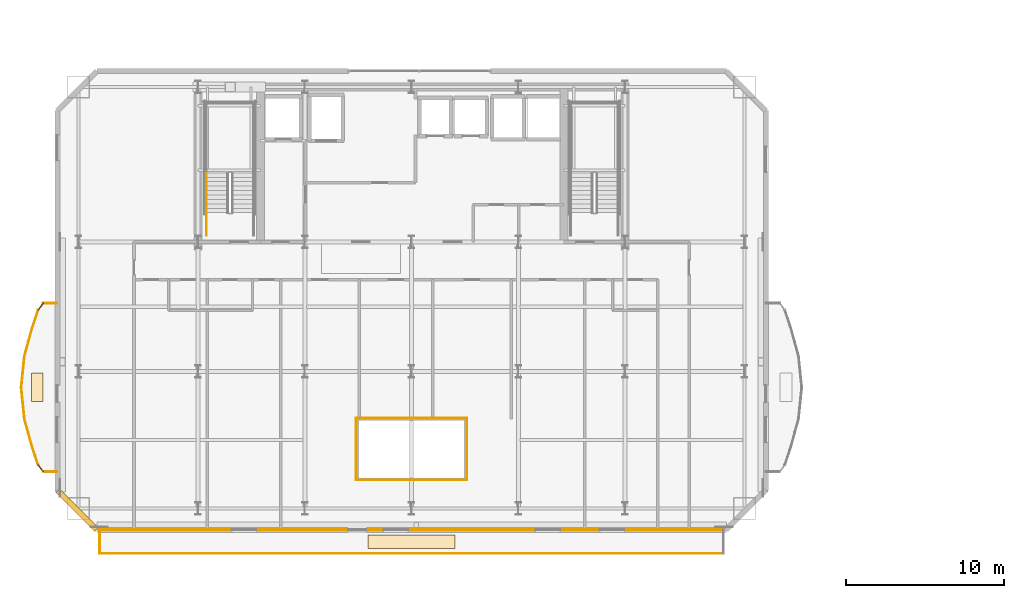
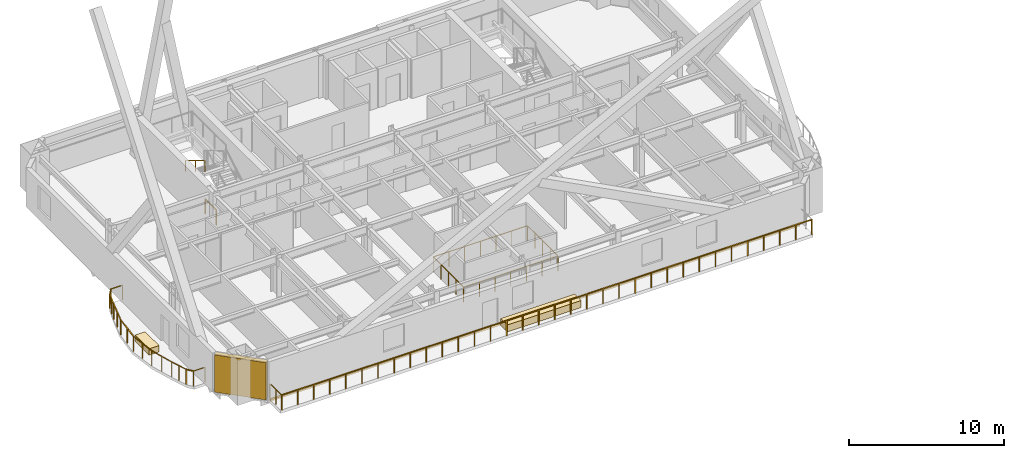
# One storey, part 17 of 22: 18 railings, 3 coverings, 1 shading device.
"""IFC4 building model written with IfcOpenShell, lengths in metres."""

from ifc_helpers import new_model, si_unit, direction, frame, origin, origin_2d, place, context, subcontext, project, spatial, rectangle, extrude, material, layer, layer_set, type_object, element, save


model = new_model("IFC4")

# Units and contexts
model_context = context("Model", 3, precision=1e-05, world=origin(), true_north=direction((0.0, 1.0)))
body_context = subcontext(model_context, "Body", "Model", "MODEL_VIEW")
ifc_project = project(units=[si_unit("LENGTHUNIT", "METRE"), si_unit("AREAUNIT", "SQUARE_METRE"), si_unit("VOLUMEUNIT", "CUBIC_METRE"), si_unit("PLANEANGLEUNIT", "RADIAN"), si_unit("MASSUNIT", "GRAM", prefix="KILO")], contexts=[model_context])

# Site, building, storey
site_placement = place(None, origin())
site = spatial("IfcSite", under=ifc_project, at=site_placement, CompositionType="ELEMENT")
building_placement = place(site_placement, origin())
building = spatial("IfcBuilding", under=site, at=building_placement, Name="Haevon Station Towers", CompositionType="ELEMENT")
storey_placement = place(building_placement, frame((0.0, 0.0, 113.10009765625)))
storey = spatial("IfcBuildingStorey", under=building, at=storey_placement, Name="L30", CompositionType="ELEMENT", Elevation=113.10009765625)

# Railings
ifc_material_1 = material(Name="Steel S355", Category="steel")
railing_type_1 = type_object("IfcRailingType", Name="BAL-ATR1200", PredefinedType="BALUSTRADE", material=ifc_material_1)
railing_1_placement = place(storey_placement, frame((33.995361328125, 23.141357421875, 0.0)))
element("IfcRailing", 1, at=railing_1_placement, inside=storey, type_object=railing_type_1, Name="L30 Atrium Void Balustrade 1", PredefinedType="BALUSTRADE", context=body_context, shape_type="SweptSolid", body=[
    extrude(rectangle(XDim=0.048095703125, YDim=0.048095703125, at=origin_2d()), frame((0.0, 0.0, 1.17578125), z_axis=(1.0, 0.0, 0.0), x_axis=(0.0, 1.0, 0.0)), (0.0, 0.0, 1.0), 7.00927734375),
    extrude(rectangle(XDim=0.0419921875, YDim=0.0419921875, at=origin_2d()), origin(), (0.0, 0.0, 1.0), 1.15185546875),
    extrude(rectangle(XDim=0.0419921875, YDim=0.0419921875, at=origin_2d()), frame((1.168212890625, 0.0, 0.0)), (0.0, 0.0, 1.0), 1.15185546875),
    extrude(rectangle(XDim=0.0419921875, YDim=0.0419921875, at=origin_2d()), frame((2.33642578125, 0.0, 0.0)), (0.0, 0.0, 1.0), 1.15185546875),
    extrude(rectangle(XDim=0.0419921875, YDim=0.0419921875, at=origin_2d()), frame((3.504638671875, 0.0, 0.0)), (0.0, 0.0, 1.0), 1.15185546875),
    extrude(rectangle(XDim=0.0419921875, YDim=0.0419921875, at=origin_2d()), frame((4.6728515625, 0.0, 0.0)), (0.0, 0.0, 1.0), 1.15185546875),
    extrude(rectangle(XDim=0.0419921875, YDim=0.0419921875, at=origin_2d()), frame((5.841064453125, 0.0, 0.0)), (0.0, 0.0, 1.0), 1.15185546875),
    extrude(rectangle(XDim=0.0419921875, YDim=0.0419921875, at=origin_2d()), frame((7.00927734375, 0.0, 0.0)), (0.0, 0.0, 1.0), 1.15185546875),
])
railing_2_placement = place(storey_placement, frame((41.004638671875, 23.141357421875, 0.0)))
element("IfcRailing", 2, at=railing_2_placement, inside=storey, type_object=railing_type_1, Name="L30 Atrium Void Balustrade 2", PredefinedType="BALUSTRADE", context=body_context, shape_type="SweptSolid", body=[
    extrude(rectangle(XDim=0.048095703125, YDim=0.048095703125, at=origin_2d()), frame((0.0, 0.0, 1.17578125), z_axis=(0.0, 1.0, 0.0), x_axis=(-1.0, 0.0, 0.0)), (0.0, 0.0, 1.0), 3.917236328125),
    extrude(rectangle(XDim=0.0419921875, YDim=0.0419921875, at=origin_2d()), origin(), (0.0, 0.0, 1.0), 1.15185546875),
    extrude(rectangle(XDim=0.0419921875, YDim=0.0419921875, at=origin_2d()), frame((0.0, 0.979248046875, 0.0)), (0.0, 0.0, 1.0), 1.15185546875),
    extrude(rectangle(XDim=0.0419921875, YDim=0.0419921875, at=origin_2d()), frame((0.0, 1.95849609375, 0.0)), (0.0, 0.0, 1.0), 1.15185546875),
    extrude(rectangle(XDim=0.0419921875, YDim=0.0419921875, at=origin_2d()), frame((0.0, 2.93798828125, 0.0)), (0.0, 0.0, 1.0), 1.15185546875),
    extrude(rectangle(XDim=0.0419921875, YDim=0.0419921875, at=origin_2d()), frame((0.0, 3.917236328125, 0.0)), (0.0, 0.0, 1.0), 1.15185546875),
])
railing_3_placement = place(storey_placement, frame((41.004638671875, 27.05859375, 0.0)))
element("IfcRailing", 3, at=railing_3_placement, inside=storey, type_object=railing_type_1, Name="L30 Atrium Void Balustrade 3", PredefinedType="BALUSTRADE", context=body_context, shape_type="SweptSolid", body=[
    extrude(rectangle(XDim=0.048095703125, YDim=0.048095703125, at=origin_2d()), frame((0.0, 0.0, 1.17578125), z_axis=(-1.0, 0.0, 0.0), x_axis=(0.0, -1.0, 0.0)), (0.0, 0.0, 1.0), 7.00927734375),
    extrude(rectangle(XDim=0.0419921875, YDim=0.0419921875, at=origin_2d()), origin(), (0.0, 0.0, 1.0), 1.15185546875),
    extrude(rectangle(XDim=0.0419921875, YDim=0.0419921875, at=origin_2d()), frame((-1.168212890625, 0.0, 0.0)), (0.0, 0.0, 1.0), 1.15185546875),
    extrude(rectangle(XDim=0.0419921875, YDim=0.0419921875, at=origin_2d()), frame((-2.33642578125, 0.0, 0.0)), (0.0, 0.0, 1.0), 1.15185546875),
    extrude(rectangle(XDim=0.0419921875, YDim=0.0419921875, at=origin_2d()), frame((-3.504638671875, 0.0, 0.0)), (0.0, 0.0, 1.0), 1.15185546875),
    extrude(rectangle(XDim=0.0419921875, YDim=0.0419921875, at=origin_2d()), frame((-4.6728515625, 0.0, 0.0)), (0.0, 0.0, 1.0), 1.15185546875),
    extrude(rectangle(XDim=0.0419921875, YDim=0.0419921875, at=origin_2d()), frame((-5.841064453125, 0.0, 0.0)), (0.0, 0.0, 1.0), 1.15185546875),
    extrude(rectangle(XDim=0.0419921875, YDim=0.0419921875, at=origin_2d()), frame((-7.00927734375, 0.0, 0.0)), (0.0, 0.0, 1.0), 1.15185546875),
])
railing_4_placement = place(storey_placement, frame((33.995361328125, 27.05859375, 0.0)))
element("IfcRailing", 4, at=railing_4_placement, inside=storey, type_object=railing_type_1, Name="L30 Atrium Void Balustrade 4", PredefinedType="BALUSTRADE", context=body_context, shape_type="SweptSolid", body=[
    extrude(rectangle(XDim=0.048095703125, YDim=0.048095703125, at=origin_2d()), frame((0.0, 0.0, 1.17578125), z_axis=(0.0, -1.0, 0.0), x_axis=(1.0, 0.0, 0.0)), (0.0, 0.0, 1.0), 3.917236328125),
    extrude(rectangle(XDim=0.0419921875, YDim=0.0419921875, at=origin_2d()), origin(), (0.0, 0.0, 1.0), 1.15185546875),
    extrude(rectangle(XDim=0.0419921875, YDim=0.0419921875, at=origin_2d()), frame((0.0, -0.979248046875, 0.0)), (0.0, 0.0, 1.0), 1.15185546875),
    extrude(rectangle(XDim=0.0419921875, YDim=0.0419921875, at=origin_2d()), frame((0.0, -1.95849609375, 0.0)), (0.0, 0.0, 1.0), 1.15185546875),
    extrude(rectangle(XDim=0.0419921875, YDim=0.0419921875, at=origin_2d()), frame((0.0, -2.93798828125, 0.0)), (0.0, 0.0, 1.0), 1.15185546875),
    extrude(rectangle(XDim=0.0419921875, YDim=0.0419921875, at=origin_2d()), frame((0.0, -3.917236328125, 0.0)), (0.0, 0.0, 1.0), 1.15185546875),
])

# Covering
ifc_material_2 = material(Name="Anodised aluminium 6063-T6", Category="aluminium")
ifc_layer_1 = layer(ifc_material_2, 0.0400390625)
ifc_layer_set_1 = layer_set([ifc_layer_1], Name="Anodised aluminium 6063-T6")
covering_type_1 = type_object("IfcCoveringType", Name="COV-CLAD40", PredefinedType="CLADDING", material=ifc_layer_set_1)
covering_1_placement = place(storey_placement, frame((37.5, 20.0, -0.240234375), z_axis=(0.0, 0.0, 1.0), x_axis=(1.0, 0.0, 0.0)))
element("IfcCovering", 5, at=covering_1_placement, inside=storey, type_object=covering_type_1, Name="Tower 1 L30 Spandrel Fascia Cladding", PredefinedType="CLADDING", context=body_context, shape_type="SweptSolid", body=[
    extrude(rectangle(XDim=39.39990234375, YDim=0.0400390625, at=origin_2d()), origin(), (0.0, 0.0, 1.0), 0.239990234375),
])

# Railings
railing_type_2 = type_object("IfcRailingType", Name="GRD-EXT1200", PredefinedType="GUARDRAIL", material=ifc_material_1)
railing_5_placement = place(storey_placement, frame((17.780029296875, 18.5029296875, 0.0)))
element("IfcRailing", 6, at=railing_5_placement, inside=storey, type_object=railing_type_2, Name="L30 Perimeter Guardrail 1", PredefinedType="GUARDRAIL", context=body_context, shape_type="SweptSolid", body=[
    extrude(rectangle(XDim=0.048095703125, YDim=0.048095703125, at=origin_2d()), frame((0.0, 0.0, 1.17578125), z_axis=(1.0, 0.0, 0.0), x_axis=(0.0, 1.0, 0.0)), (0.0, 0.0, 1.0), 39.43994140625),
    extrude(rectangle(XDim=0.0419921875, YDim=0.0419921875, at=origin_2d()), origin(), (0.0, 0.0, 1.0), 1.15185546875),
    extrude(rectangle(XDim=0.0419921875, YDim=0.0419921875, at=origin_2d()), frame((1.195068359375, 0.0, 0.0)), (0.0, 0.0, 1.0), 1.15185546875),
    extrude(rectangle(XDim=0.0419921875, YDim=0.0419921875, at=origin_2d()), frame((2.390380859375, 0.0, 0.0)), (0.0, 0.0, 1.0), 1.15185546875),
    extrude(rectangle(XDim=0.0419921875, YDim=0.0419921875, at=origin_2d()), frame((3.58544921875, 0.0, 0.0)), (0.0, 0.0, 1.0), 1.15185546875),
    extrude(rectangle(XDim=0.0419921875, YDim=0.0419921875, at=origin_2d()), frame((4.780517578125, 0.0, 0.0)), (0.0, 0.0, 1.0), 1.15185546875),
    extrude(rectangle(XDim=0.0419921875, YDim=0.0419921875, at=origin_2d()), frame((5.975830078125, 0.0, 0.0)), (0.0, 0.0, 1.0), 1.15185546875),
    extrude(rectangle(XDim=0.0419921875, YDim=0.0419921875, at=origin_2d()), frame((7.1708984375, 0.0, 0.0)), (0.0, 0.0, 1.0), 1.15185546875),
    extrude(rectangle(XDim=0.0419921875, YDim=0.0419921875, at=origin_2d()), frame((8.365966796875, 0.0, 0.0)), (0.0, 0.0, 1.0), 1.15185546875),
    extrude(rectangle(XDim=0.0419921875, YDim=0.0419921875, at=origin_2d()), frame((9.561279296875, 0.0, 0.0)), (0.0, 0.0, 1.0), 1.15185546875),
    extrude(rectangle(XDim=0.0419921875, YDim=0.0419921875, at=origin_2d()), frame((10.75634765625, 0.0, 0.0)), (0.0, 0.0, 1.0), 1.15185546875),
    extrude(rectangle(XDim=0.0419921875, YDim=0.0419921875, at=origin_2d()), frame((11.951416015625, 0.0, 0.0)), (0.0, 0.0, 1.0), 1.15185546875),
    extrude(rectangle(XDim=0.0419921875, YDim=0.0419921875, at=origin_2d()), frame((13.146728515625, 0.0, 0.0)), (0.0, 0.0, 1.0), 1.15185546875),
    extrude(rectangle(XDim=0.0419921875, YDim=0.0419921875, at=origin_2d()), frame((14.341796875, 0.0, 0.0)), (0.0, 0.0, 1.0), 1.15185546875),
    extrude(rectangle(XDim=0.0419921875, YDim=0.0419921875, at=origin_2d()), frame((15.536865234375, 0.0, 0.0)), (0.0, 0.0, 1.0), 1.15185546875),
    extrude(rectangle(XDim=0.0419921875, YDim=0.0419921875, at=origin_2d()), frame((16.732177734375, 0.0, 0.0)), (0.0, 0.0, 1.0), 1.15185546875),
    extrude(rectangle(XDim=0.0419921875, YDim=0.0419921875, at=origin_2d()), frame((17.92724609375, 0.0, 0.0)), (0.0, 0.0, 1.0), 1.15185546875),
    extrude(rectangle(XDim=0.0419921875, YDim=0.0419921875, at=origin_2d()), frame((19.122314453125, 0.0, 0.0)), (0.0, 0.0, 1.0), 1.15185546875),
    extrude(rectangle(XDim=0.0419921875, YDim=0.0419921875, at=origin_2d()), frame((20.317626953125, 0.0, 0.0)), (0.0, 0.0, 1.0), 1.15185546875),
    extrude(rectangle(XDim=0.0419921875, YDim=0.0419921875, at=origin_2d()), frame((21.5126953125, 0.0, 0.0)), (0.0, 0.0, 1.0), 1.15185546875),
    extrude(rectangle(XDim=0.0419921875, YDim=0.0419921875, at=origin_2d()), frame((22.707763671875, 0.0, 0.0)), (0.0, 0.0, 1.0), 1.15185546875),
    extrude(rectangle(XDim=0.0419921875, YDim=0.0419921875, at=origin_2d()), frame((23.903076171875, 0.0, 0.0)), (0.0, 0.0, 1.0), 1.15185546875),
    extrude(rectangle(XDim=0.0419921875, YDim=0.0419921875, at=origin_2d()), frame((25.09814453125, 0.0, 0.0)), (0.0, 0.0, 1.0), 1.15185546875),
    extrude(rectangle(XDim=0.0419921875, YDim=0.0419921875, at=origin_2d()), frame((26.293212890625, 0.0, 0.0)), (0.0, 0.0, 1.0), 1.15185546875),
    extrude(rectangle(XDim=0.0419921875, YDim=0.0419921875, at=origin_2d()), frame((27.488525390625, 0.0, 0.0)), (0.0, 0.0, 1.0), 1.15185546875),
    extrude(rectangle(XDim=0.0419921875, YDim=0.0419921875, at=origin_2d()), frame((28.68359375, 0.0, 0.0)), (0.0, 0.0, 1.0), 1.15185546875),
    extrude(rectangle(XDim=0.0419921875, YDim=0.0419921875, at=origin_2d()), frame((29.878662109375, 0.0, 0.0)), (0.0, 0.0, 1.0), 1.15185546875),
    extrude(rectangle(XDim=0.0419921875, YDim=0.0419921875, at=origin_2d()), frame((31.073974609375, 0.0, 0.0)), (0.0, 0.0, 1.0), 1.15185546875),
    extrude(rectangle(XDim=0.0419921875, YDim=0.0419921875, at=origin_2d()), frame((32.26904296875, 0.0, 0.0)), (0.0, 0.0, 1.0), 1.15185546875),
    extrude(rectangle(XDim=0.0419921875, YDim=0.0419921875, at=origin_2d()), frame((33.464111328125, 0.0, 0.0)), (0.0, 0.0, 1.0), 1.15185546875),
    extrude(rectangle(XDim=0.0419921875, YDim=0.0419921875, at=origin_2d()), frame((34.659423828125, 0.0, 0.0)), (0.0, 0.0, 1.0), 1.15185546875),
    extrude(rectangle(XDim=0.0419921875, YDim=0.0419921875, at=origin_2d()), frame((35.8544921875, 0.0, 0.0)), (0.0, 0.0, 1.0), 1.15185546875),
    extrude(rectangle(XDim=0.0419921875, YDim=0.0419921875, at=origin_2d()), frame((37.049560546875, 0.0, 0.0)), (0.0, 0.0, 1.0), 1.15185546875),
    extrude(rectangle(XDim=0.0419921875, YDim=0.0419921875, at=origin_2d()), frame((38.244873046875, 0.0, 0.0)), (0.0, 0.0, 1.0), 1.15185546875),
    extrude(rectangle(XDim=0.0419921875, YDim=0.0419921875, at=origin_2d()), frame((39.43994140625, 0.0, 0.0)), (0.0, 0.0, 1.0), 1.15185546875),
])
railing_6_placement = place(storey_placement, frame((17.780029296875, 19.991943359375, 0.0)))
element("IfcRailing", 7, at=railing_6_placement, inside=storey, type_object=railing_type_2, Name="L30 Perimeter Guardrail 3", PredefinedType="GUARDRAIL", context=body_context, shape_type="SweptSolid", body=[
    extrude(rectangle(XDim=0.048095703125, YDim=0.048095703125, at=origin_2d()), frame((0.0, 0.0, 1.17578125), z_axis=(0.0, -1.0, 0.0), x_axis=(1.0, 0.0, 0.0)), (0.0, 0.0, 1.0), 1.489013671875),
    extrude(rectangle(XDim=0.0419921875, YDim=0.0419921875, at=origin_2d()), origin(), (0.0, 0.0, 1.0), 1.15185546875),
    extrude(rectangle(XDim=0.0419921875, YDim=0.0419921875, at=origin_2d()), frame((0.0, -0.74462890625, 0.0)), (0.0, 0.0, 1.0), 1.15185546875),
    extrude(rectangle(XDim=0.0419921875, YDim=0.0419921875, at=origin_2d()), frame((0.0, -1.489013671875, 0.0)), (0.0, 0.0, 1.0), 1.15185546875),
])
railing_7_placement = place(storey_placement, frame((15.07666015625, 34.322021484375, 0.0)))
element("IfcRailing", 8, at=railing_7_placement, inside=storey, type_object=railing_type_2, Name="L30 Perimeter Guardrail 1", PredefinedType="GUARDRAIL", context=body_context, shape_type="SweptSolid", body=[
    extrude(rectangle(XDim=0.048095703125, YDim=0.048095703125, at=origin_2d()), frame((0.0, 0.0, 1.17578125), z_axis=(-0.999998067939, -0.001965736163, 0.0), x_axis=(0.001965736163, -0.999998067939, 0.0)), (0.0, 0.0, 1.0), 0.869384765625),
    extrude(rectangle(XDim=0.0419921875, YDim=0.0419921875, at=origin_2d()), origin(), (0.0, 0.0, 1.0), 1.15185546875),
    extrude(rectangle(XDim=0.0419921875, YDim=0.0419921875, at=origin_2d()), frame((-0.869384765625, -0.001708984375, 0.0)), (0.0, 0.0, 1.0), 1.15185546875),
])
railing_8_placement = place(storey_placement, frame((14.207275390625, 34.3203125, 0.0)))
element("IfcRailing", 9, at=railing_8_placement, inside=storey, type_object=railing_type_2, Name="L30 Perimeter Guardrail 2", PredefinedType="GUARDRAIL", context=body_context, shape_type="SweptSolid", body=[
    extrude(rectangle(XDim=0.048095703125, YDim=0.048095703125, at=origin_2d()), frame((0.0, 0.0, 1.17578125), z_axis=(-0.603100928496, -0.797664885805, 0.0), x_axis=(0.797664885805, -0.603100928496, 0.0)), (0.0, 0.0, 1.0), 0.515625),
    extrude(rectangle(XDim=0.0419921875, YDim=0.0419921875, at=origin_2d()), origin(), (0.0, 0.0, 1.0), 1.15185546875),
    extrude(rectangle(XDim=0.0419921875, YDim=0.0419921875, at=origin_2d()), frame((-0.31103515625, -0.411376953125, 0.0)), (0.0, 0.0, 1.0), 1.15185546875),
])
railing_9_placement = place(storey_placement, frame((13.896240234375, 33.908935546875, 0.0)))
element("IfcRailing", 10, at=railing_9_placement, inside=storey, type_object=railing_type_2, Name="L30 Perimeter Guardrail 3", PredefinedType="GUARDRAIL", context=body_context, shape_type="SweptSolid", body=[
    extrude(rectangle(XDim=0.048095703125, YDim=0.048095703125, at=origin_2d()), frame((0.0, 0.0, 1.17578125), z_axis=(-0.315217781166, -0.949019362519, 0.0), x_axis=(0.949019362519, -0.315217781166, 0.0)), (0.0, 0.0, 1.0), 1.23291015625),
    extrude(rectangle(XDim=0.0419921875, YDim=0.0419921875, at=origin_2d()), origin(), (0.0, 0.0, 1.0), 1.15185546875),
    extrude(rectangle(XDim=0.0419921875, YDim=0.0419921875, at=origin_2d()), frame((-0.1943359375, -0.5849609375, 0.0)), (0.0, 0.0, 1.0), 1.15185546875),
    extrude(rectangle(XDim=0.0419921875, YDim=0.0419921875, at=origin_2d()), frame((-0.388671875, -1.170166015625, 0.0)), (0.0, 0.0, 1.0), 1.15185546875),
])
railing_10_placement = place(storey_placement, frame((13.507568359375, 32.73876953125, 0.0)))
element("IfcRailing", 11, at=railing_10_placement, inside=storey, type_object=railing_type_2, Name="L30 Perimeter Guardrail 4", PredefinedType="GUARDRAIL", context=body_context, shape_type="SweptSolid", body=[
    extrude(rectangle(XDim=0.048095703125, YDim=0.048095703125, at=origin_2d()), frame((0.0, 0.0, 1.17578125), z_axis=(-0.266399621619, -0.963862667397, 0.0), x_axis=(0.963862667397, -0.266399621619, 0.0)), (0.0, 0.0, 1.0), 1.811767578125),
    extrude(rectangle(XDim=0.0419921875, YDim=0.0419921875, at=origin_2d()), origin(), (0.0, 0.0, 1.0), 1.15185546875),
    extrude(rectangle(XDim=0.0419921875, YDim=0.0419921875, at=origin_2d()), frame((-0.2412109375, -0.873046875, 0.0)), (0.0, 0.0, 1.0), 1.15185546875),
    extrude(rectangle(XDim=0.0419921875, YDim=0.0419921875, at=origin_2d()), frame((-0.482666015625, -1.746337890625, 0.0)), (0.0, 0.0, 1.0), 1.15185546875),
])
railing_11_placement = place(storey_placement, frame((13.02490234375, 30.992431640625, 0.0)))
element("IfcRailing", 12, at=railing_11_placement, inside=storey, type_object=railing_type_2, Name="L30 Perimeter Guardrail 5", PredefinedType="GUARDRAIL", context=body_context, shape_type="SweptSolid", body=[
    extrude(rectangle(XDim=0.048095703125, YDim=0.048095703125, at=origin_2d()), frame((0.0, 0.0, 1.17578125), z_axis=(-0.101663875027, -0.994818805871, 0.0), x_axis=(0.994818805871, -0.101663875027, 0.0)), (0.0, 0.0, 1.0), 2.0029296875),
    extrude(rectangle(XDim=0.0419921875, YDim=0.0419921875, at=origin_2d()), origin(), (0.0, 0.0, 1.0), 1.15185546875),
    extrude(rectangle(XDim=0.0419921875, YDim=0.0419921875, at=origin_2d()), frame((-0.101806640625, -0.99609375, 0.0)), (0.0, 0.0, 1.0), 1.15185546875),
    extrude(rectangle(XDim=0.0419921875, YDim=0.0419921875, at=origin_2d()), frame((-0.20361328125, -1.992431640625, 0.0)), (0.0, 0.0, 1.0), 1.15185546875),
])
railing_12_placement = place(storey_placement, frame((12.8212890625, 29.0, 0.0)))
element("IfcRailing", 13, at=railing_12_placement, inside=storey, type_object=railing_type_2, Name="L30 Perimeter Guardrail 6", PredefinedType="GUARDRAIL", context=body_context, shape_type="SweptSolid", body=[
    extrude(rectangle(XDim=0.048095703125, YDim=0.048095703125, at=origin_2d()), frame((0.0, 0.0, 1.17578125), z_axis=(0.101663875027, -0.994818805871, 0.0), x_axis=(0.994818805871, 0.101663875027, 0.0)), (0.0, 0.0, 1.0), 2.0029296875),
    extrude(rectangle(XDim=0.0419921875, YDim=0.0419921875, at=origin_2d()), origin(), (0.0, 0.0, 1.0), 1.15185546875),
    extrude(rectangle(XDim=0.0419921875, YDim=0.0419921875, at=origin_2d()), frame((0.101806640625, -0.99609375, 0.0)), (0.0, 0.0, 1.0), 1.15185546875),
    extrude(rectangle(XDim=0.0419921875, YDim=0.0419921875, at=origin_2d()), frame((0.20361328125, -1.992431640625, 0.0)), (0.0, 0.0, 1.0), 1.15185546875),
])
railing_13_placement = place(storey_placement, frame((13.02490234375, 27.007568359375, 0.0)))
element("IfcRailing", 14, at=railing_13_placement, inside=storey, type_object=railing_type_2, Name="L30 Perimeter Guardrail 7", PredefinedType="GUARDRAIL", context=body_context, shape_type="SweptSolid", body=[
    extrude(rectangle(XDim=0.048095703125, YDim=0.048095703125, at=origin_2d()), frame((0.0, 0.0, 1.17578125), z_axis=(0.266399621619, -0.963862667397, 0.0), x_axis=(0.963862667397, 0.266399621619, 0.0)), (0.0, 0.0, 1.0), 1.811767578125),
    extrude(rectangle(XDim=0.0419921875, YDim=0.0419921875, at=origin_2d()), origin(), (0.0, 0.0, 1.0), 1.15185546875),
    extrude(rectangle(XDim=0.0419921875, YDim=0.0419921875, at=origin_2d()), frame((0.2412109375, -0.873046875, 0.0)), (0.0, 0.0, 1.0), 1.15185546875),
    extrude(rectangle(XDim=0.0419921875, YDim=0.0419921875, at=origin_2d()), frame((0.482666015625, -1.746337890625, 0.0)), (0.0, 0.0, 1.0), 1.15185546875),
])
railing_14_placement = place(storey_placement, frame((13.507568359375, 25.26123046875, 0.0)))
element("IfcRailing", 15, at=railing_14_placement, inside=storey, type_object=railing_type_2, Name="L30 Perimeter Guardrail 8", PredefinedType="GUARDRAIL", context=body_context, shape_type="SweptSolid", body=[
    extrude(rectangle(XDim=0.048095703125, YDim=0.048095703125, at=origin_2d()), frame((0.0, 0.0, 1.17578125), z_axis=(0.315217781166, -0.949019362519, 0.0), x_axis=(0.949019362519, 0.315217781166, 0.0)), (0.0, 0.0, 1.0), 1.23291015625),
    extrude(rectangle(XDim=0.0419921875, YDim=0.0419921875, at=origin_2d()), origin(), (0.0, 0.0, 1.0), 1.15185546875),
    extrude(rectangle(XDim=0.0419921875, YDim=0.0419921875, at=origin_2d()), frame((0.1943359375, -0.5849609375, 0.0)), (0.0, 0.0, 1.0), 1.15185546875),
    extrude(rectangle(XDim=0.0419921875, YDim=0.0419921875, at=origin_2d()), frame((0.388671875, -1.170166015625, 0.0)), (0.0, 0.0, 1.0), 1.15185546875),
])
railing_15_placement = place(storey_placement, frame((13.896240234375, 24.091064453125, 0.0)))
element("IfcRailing", 16, at=railing_15_placement, inside=storey, type_object=railing_type_2, Name="L30 Perimeter Guardrail 9", PredefinedType="GUARDRAIL", context=body_context, shape_type="SweptSolid", body=[
    extrude(rectangle(XDim=0.048095703125, YDim=0.048095703125, at=origin_2d()), frame((0.0, 0.0, 1.17578125), z_axis=(0.603100928496, -0.797664885805, 0.0), x_axis=(0.797664885805, 0.603100928496, 0.0)), (0.0, 0.0, 1.0), 0.515625),
    extrude(rectangle(XDim=0.0419921875, YDim=0.0419921875, at=origin_2d()), origin(), (0.0, 0.0, 1.0), 1.15185546875),
    extrude(rectangle(XDim=0.0419921875, YDim=0.0419921875, at=origin_2d()), frame((0.31103515625, -0.411376953125, 0.0)), (0.0, 0.0, 1.0), 1.15185546875),
])
railing_16_placement = place(storey_placement, frame((14.207275390625, 23.6796875, 0.0)))
element("IfcRailing", 17, at=railing_16_placement, inside=storey, type_object=railing_type_2, Name="L30 Perimeter Guardrail 10", PredefinedType="GUARDRAIL", context=body_context, shape_type="SweptSolid", body=[
    extrude(rectangle(XDim=0.048095703125, YDim=0.048095703125, at=origin_2d()), frame((0.0, 0.0, 1.17578125), z_axis=(0.999998067939, -0.001965736163, 0.0), x_axis=(0.001965736163, 0.999998067939, 0.0)), (0.0, 0.0, 1.0), 0.869384765625),
    extrude(rectangle(XDim=0.0419921875, YDim=0.0419921875, at=origin_2d()), origin(), (0.0, 0.0, 1.0), 1.15185546875),
    extrude(rectangle(XDim=0.0419921875, YDim=0.0419921875, at=origin_2d()), frame((0.869384765625, -0.001708984375, 0.0)), (0.0, 0.0, 1.0), 1.15185546875),
])
railing_type_3 = type_object("IfcRailingType", Name="GRD-STR1200", PredefinedType="GUARDRAIL", material=ifc_material_1)
railing_17_placement = place(storey_placement, frame((24.530029296875, 38.60009765625, 0.0)))
element("IfcRailing", 18, at=railing_17_placement, inside=storey, type_object=railing_type_3, Name="L30 ST1 Stair Guard 9", PredefinedType="GUARDRAIL", context=body_context, shape_type="SweptSolid", body=[
    extrude(rectangle(XDim=0.048095703125, YDim=0.048095703125, at=origin_2d()), frame((0.0, 0.0, 1.17578125), z_axis=(0.0, 1.0, 0.0), x_axis=(-1.0, 0.0, 0.0)), (0.0, 0.0, 1.0), 1.449951171875),
    extrude(rectangle(XDim=0.0419921875, YDim=0.0419921875, at=origin_2d()), origin(), (0.0, 0.0, 1.0), 1.15185546875),
    extrude(rectangle(XDim=0.0419921875, YDim=0.0419921875, at=origin_2d()), frame((0.0, 1.449951171875, 0.0)), (0.0, 0.0, 1.0), 1.15185546875),
])
railing_type_4 = type_object("IfcRailingType", Name="HND-STR900", PredefinedType="HANDRAIL", material=ifc_material_1)
railing_18_placement = place(storey_placement, frame((24.530029296875, 42.570068359375, 1.81494140625)))
element("IfcRailing", 19, at=railing_18_placement, inside=storey, type_object=railing_type_4, Name="L30 ST1 Stair Handrail 2", PredefinedType="HANDRAIL", context=body_context, shape_type="SweptSolid", body=[
    extrude(rectangle(XDim=0.048095703125, YDim=0.048095703125, at=origin_2d()), frame((0.0, 0.0, 0.8759765625), z_axis=(0.0, -0.861560626758, 0.507654692109), x_axis=(1.0, 0.0, 0.0)), (0.0, 0.0, 1.0), 2.925048828125),
    extrude(rectangle(XDim=0.0419921875, YDim=0.0419921875, at=origin_2d()), origin(), (0.0, 0.0, 1.0), 0.851806640625),
    extrude(rectangle(XDim=0.0419921875, YDim=0.0419921875, at=origin_2d()), frame((0.0, -1.260009765625, 0.742431640625)), (0.0, 0.0, 1.0), 0.851806640625),
    extrude(rectangle(XDim=0.0419921875, YDim=0.0419921875, at=origin_2d()), frame((0.0, -2.52001953125, 1.48486328125)), (0.0, 0.0, 1.0), 0.851806640625),
])

# Coverings
ifc_material_3 = material(Name="Architectural planter GRC", Category="concrete")
ifc_layer_2 = layer(ifc_material_3, 0.550048828125)
ifc_layer_set_2 = layer_set([ifc_layer_2], Name="Architectural planter GRC")
covering_type_2 = type_object("IfcCoveringType", Name="PLN-GRC550", PredefinedType="MOLDING", material=ifc_layer_set_2)
covering_2_placement = place(storey_placement, frame((37.5, 19.24755859375, 0.0), z_axis=(0.0, 0.0, 1.0), x_axis=(1.0, 0.0, 0.0)))
element("IfcCovering", 20, at=covering_2_placement, inside=storey, type_object=covering_type_2, Name="Tower 1 L30 Sky-Garden GRC PLANTER", PredefinedType="MOLDING", context=body_context, shape_type="SweptSolid", body=[
    extrude(rectangle(XDim=5.5, YDim=0.85009765625, at=origin_2d()), origin(), (0.0, 0.0, 1.0), 0.550048828125),
])
covering_3_placement = place(storey_placement, frame((13.831298828125, 29.0, 0.0), z_axis=(0.0, 0.0, 1.0), x_axis=(1.0, 0.0, 0.0)))
element("IfcCovering", 21, at=covering_3_placement, inside=storey, type_object=covering_type_2, Name="Tower 1 L30 Scalloped Balcony PLANTER", PredefinedType="MOLDING", context=body_context, shape_type="SweptSolid", body=[
    extrude(rectangle(XDim=0.75, YDim=1.800048828125, at=origin_2d()), origin(), (0.0, 0.0, 1.0), 0.5),
])

# Shading device
ifc_layer_3 = layer(ifc_material_2, 0.139892578125)
ifc_layer_set_3 = layer_set([ifc_layer_3], Name="Anodised aluminium 6063-T6")
shading_device_type = type_object("IfcShadingDeviceType", Name="SHD-WIND-BAFFLE", PredefinedType="SHUTTER", material=ifc_layer_set_3)
shading_device_placement = place(storey_placement, frame((16.35009765625, 21.25, 0.0498046875), z_axis=(0.0, 0.0, 1.0), x_axis=(-0.707106781187, 0.707106781187, 0.0)))
element("IfcShadingDevice", 22, at=shading_device_placement, inside=storey, type_object=shading_device_type, Name="Tower 1 L30 Wind-Corner Aerofoil Baffle SWC", PredefinedType="SHUTTER", context=body_context, shape_type="SweptSolid", body=[
    extrude(rectangle(XDim=3.435546875, YDim=0.340087890625, at=origin_2d()), origin(), (0.0, 0.0, 1.0), 2.929931640625),
])

save(model, "model.ifc")
